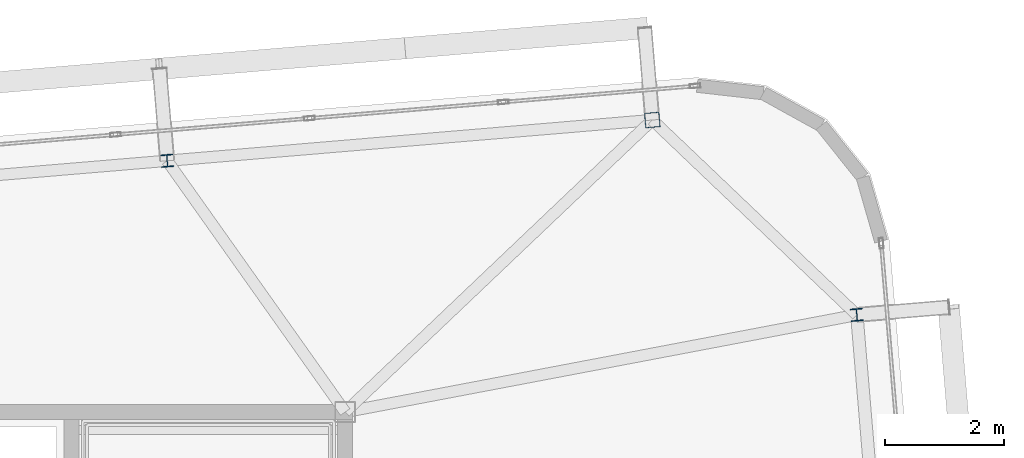
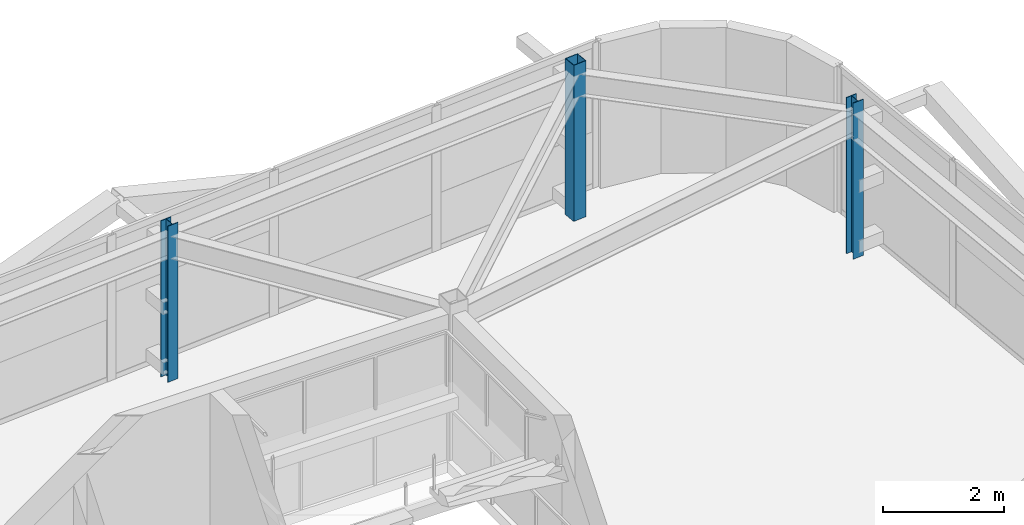
# One storey, part 6 of 46: 3 columns.
"""IFC4 building model written with IfcOpenShell, lengths in metres."""

from ifc_helpers import new_model, si_unit, direction, frame, origin, origin_2d, place, context, subcontext, project, spatial, hollow_rectangle, i_section, extrude, source, transform, mapped, material, material_profile, profile_set, type_object, element, save


model = new_model("IFC4")

# Units and contexts
model_context = context("Model", 3, precision=1e-05, world=origin(), true_north=direction((0.0, 1.0)))
body_context = subcontext(model_context, "Body", "Model", "MODEL_VIEW")
ifc_project = project(units=[si_unit("LENGTHUNIT", "METRE"), si_unit("AREAUNIT", "SQUARE_METRE"), si_unit("VOLUMEUNIT", "CUBIC_METRE"), si_unit("PLANEANGLEUNIT", "RADIAN"), si_unit("MASSUNIT", "GRAM", prefix="KILO")], contexts=[model_context])

# Site, building, storey
site_placement = place(None, origin())
site = spatial("IfcSite", under=ifc_project, at=site_placement, CompositionType="ELEMENT")
building_placement = place(site_placement, origin())
building = spatial("IfcBuilding", under=site, at=building_placement, Name="Taldren Reach Tower", CompositionType="ELEMENT")
storey_placement = place(building_placement, frame((0.0, 0.0, 188.300048828125)))
storey = spatial("IfcBuildingStorey", under=building, at=storey_placement, Name="L57", CompositionType="ELEMENT", Elevation=188.300048828125)

# Columns
ifc_material_1 = material(Name="Steel Gr 350 (C350L0)", Category="steel")
ifc_material_profile_1 = material_profile(ifc_material_1, hollow_rectangle(XDim=0.25, YDim=0.25, WallThickness=0.010009765625, at=origin_2d()), Name="250x250x10.0SHS")
ifc_profile_set_1 = profile_set([ifc_material_profile_1], Name="Steel Gr 350 (C350L0)")
column_type_1 = type_object("IfcColumnType", Name="COL-SHS250", PredefinedType="COLUMN", material=ifc_profile_set_1)
shared_shape_1 = source(origin(), body_context, "Body", "SweptSolid", [
    extrude(hollow_rectangle(XDim=0.25, YDim=0.25, WallThickness=0.010009765625, at=origin_2d()), origin(), (0.0, 0.0, 1.0), 3.14990234375),
])
column_placement = place(storey_placement, frame((56.160400390625, 36.906005859375, 0.0), z_axis=(0.0, 0.0, 1.0), x_axis=(0.99649285925, 0.083677843332, 0.0)))
element("IfcColumn", 1, at=column_placement, inside=storey, type_object=column_type_1, Name="Block B4 perimeter column N6 L57", PredefinedType="COLUMN", context=body_context, shape_type="MappedRepresentation", body=[
    mapped(shared_shape_1, transform((0.0, 0.0, 0.0), scale=1.0)),
])
ifc_material_2 = material(Name="Steel Gr 350 (350PLUS)", Category="steel")
ifc_material_profile_2 = material_profile(ifc_material_2, i_section(OverallWidth=0.205078125, OverallDepth=0.2099609375, WebThickness=0.00927734375, FlangeThickness=0.01416015625, at=origin_2d()), Name="200UC59.5")
ifc_profile_set_2 = profile_set([ifc_material_profile_2], Name="Steel Gr 350 (350PLUS)")
column_type_2 = type_object("IfcColumnType", Name="COL-UC200", PredefinedType="COLUMN", material=ifc_profile_set_2)
shared_shape_2 = source(origin(), body_context, "Body", "SweptSolid", [
    extrude(i_section(OverallWidth=0.205078125, OverallDepth=0.2099609375, WebThickness=0.00927734375, FlangeThickness=0.01416015625, at=origin_2d()), origin(), (0.0, 0.0, 1.0), 3.14990234375),
])
for number, where, z_axis, x_axis, name in (
    (2, (48.009033203125, 36.221435546875, 0.0), (0.0, 0.0, 1.0), (0.99649285925, 0.083677843332, 0.0), "Block B4 perimeter column N5 L57"),
    (3, (59.596435546875, 33.632080078125, 0.0), (0.0, 0.0, 1.0), (0.99649285925, 0.083677843332, 0.0), "Block B4 perimeter column E3 L57"),
):
    element("IfcColumn", number, at=place(storey_placement, frame(where, z_axis=z_axis, x_axis=x_axis)), inside=storey, type_object=column_type_2, Name=name, PredefinedType="COLUMN", context=body_context, shape_type="MappedRepresentation", body=[
        mapped(shared_shape_2, transform((0.0, 0.0, 0.0), scale=1.0)),
    ])

save(model, "model.ifc")
